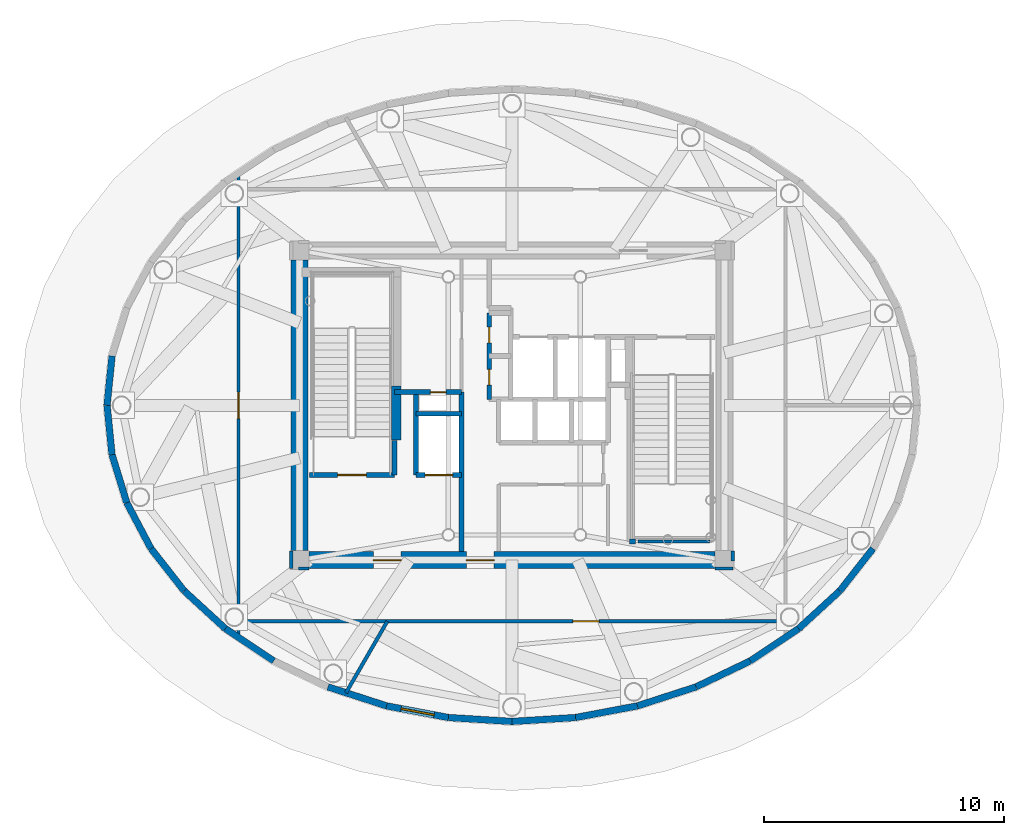
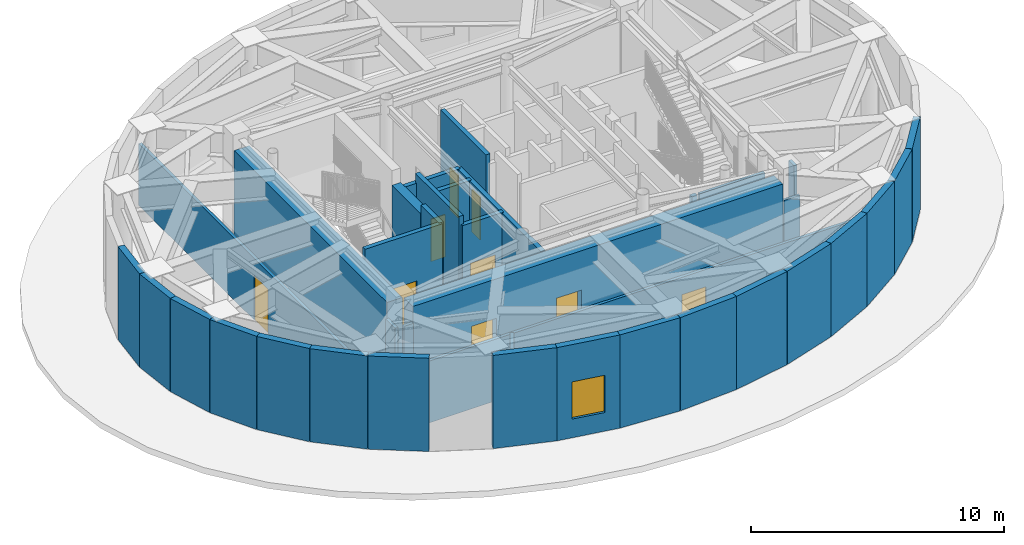
# One storey, part 3 of 11: 37 walls, 9 doors, 1 window, 10 openings.
"""IFC4 building model written with IfcOpenShell, lengths in metres."""

import ifcopenshell
import ifcopenshell.guid

model = None  # the IFC model being written
_history = None  # IfcOwnerHistory: only IFC2X3 demands one
_inside = {}  # id of a spatial element -> (the spatial element, [elements in it])
_under = {}  # id of a project, library or spatial element -> (it, [spatial elements below it])
_declared = {}  # id of a project -> (the project, [libraries it declares])
_typed = {}  # id of a type object -> (the type object, [elements of that type])
_made_of = {}  # id of a material, layer set ... -> (it, [elements and type objects made of it])


def new_model(schema):
    """Start an empty IFC model of exactly this schema.

    Asked for "IFC4X3", IfcOpenShell would pick the latest addendum, in which some entities
    have other attributes; the version numbers below select the first issue.
    IFC2X3 requires an IfcOwnerHistory on every rooted entity: one is made here for all.
    """
    global model, _history
    if schema == "IFC4X3":
        model = ifcopenshell.file(schema_version=(4, 3, 0, 0))
    else:
        model = ifcopenshell.file(schema=schema)
    _inside.clear()
    _under.clear()
    _declared.clear()
    _typed.clear()
    _made_of.clear()
    _history = None
    if model.schema == "IFC2X3":
        org = make("IfcOrganization", Name="unknown")
        user = make(
            "IfcPersonAndOrganization",
            ThePerson=make("IfcPerson", FamilyName="unknown"),
            TheOrganization=org,
        )
        app = make(
            "IfcApplication",
            ApplicationDeveloper=org,
            Version="unknown",
            ApplicationFullName="unknown",
            ApplicationIdentifier="unknown",
        )
        _history = make(
            "IfcOwnerHistory",
            OwningUser=user,
            OwningApplication=app,
            ChangeAction="ADDED",
            CreationDate=0,
        )
    return model


def make(cls, **values):
    """One entity of the class cls with the attributes given. An attribute that is None is left unset."""
    return model.create_entity(
        cls, **{name: value for name, value in values.items() if value is not None}
    )


def rooted(cls, **values):
    """An entity with a GlobalId (a new one), such as an element, a storey or a relation."""
    return make(cls, GlobalId=ifcopenshell.guid.new(), OwnerHistory=_history, **values)


def si_unit(unit_type, name, prefix=None):
    """IfcSIUnit, for example si_unit("LENGTHUNIT", "METRE", prefix="MILLI")."""
    return make("IfcSIUnit", UnitType=unit_type, Prefix=prefix, Name=name)


def assignment(units):
    """IfcUnitAssignment: the units of a project."""
    return None if units is None else make("IfcUnitAssignment", Units=units)


def point(xyz):
    """IfcCartesianPoint."""
    return None if xyz is None else make("IfcCartesianPoint", Coordinates=xyz)


def direction(xyz):
    """IfcDirection."""
    return None if xyz is None else make("IfcDirection", DirectionRatios=xyz)


def frame(location, z_axis=None, x_axis=None):
    """IfcAxis2Placement3D, a coordinate frame: its origin and axes. An axis left out is left unset."""
    return make(
        "IfcAxis2Placement3D",
        Location=point(location),
        Axis=direction(z_axis),
        RefDirection=direction(x_axis),
    )


def frame_2d(location, x_axis=None):
    """IfcAxis2Placement2D, a coordinate frame in the plane: its origin and x axis."""
    return make(
        "IfcAxis2Placement2D", Location=point(location), RefDirection=direction(x_axis)
    )


def origin():
    """The frame at (0, 0, 0) with its axes left unset."""
    return frame((0.0, 0.0, 0.0))


def origin_2d():
    """The frame at (0, 0) in the plane with its x axis left unset."""
    return frame_2d((0.0, 0.0))


def place(relative_to, where):
    """IfcLocalPlacement: puts the frame where relative to a parent placement (None: the world)."""
    return make(
        "IfcLocalPlacement", PlacementRelTo=relative_to, RelativePlacement=where
    )


def context(
    kind, dimensions, precision=None, world=None, true_north=None, identifier=None
):
    """IfcGeometricRepresentationContext, for example the 3D "Model" context."""
    return make(
        "IfcGeometricRepresentationContext",
        ContextIdentifier=identifier,
        ContextType=kind,
        CoordinateSpaceDimension=dimensions,
        Precision=precision,
        WorldCoordinateSystem=world,
        TrueNorth=true_north,
    )


def subcontext(parent, identifier, kind, view, scale=None):
    """IfcGeometricRepresentationSubContext, for example "Body" below "Model"."""
    return make(
        "IfcGeometricRepresentationSubContext",
        ContextIdentifier=identifier,
        ContextType=kind,
        ParentContext=parent,
        TargetScale=scale,
        TargetView=view,
    )


def project(units=None, contexts=None):
    """IfcProject with its units and contexts."""
    return rooted(
        "IfcProject",
        Name="project",
        RepresentationContexts=contexts,
        UnitsInContext=assignment(units),
    )


def spatial(cls, under=None, at=None, **own):
    """A site, building, storey or space (cls), placed at a placement, below another one or the project."""
    s = rooted(cls, ObjectPlacement=at, **own)
    if under is not None:
        _under.setdefault(under.id(), (under, []))[1].append(s)
    return s


def profile(cls, at=None, kind="AREA", **sizes):
    """A parametric profile (cls). Its sizes go by their IFC names, for example OverallWidth=200.0."""
    return make(cls, ProfileType=kind, Position=at, **sizes)


def rectangle(**sizes):
    """IfcRectangleProfileDef."""
    return profile("IfcRectangleProfileDef", **sizes)


def extrude(swept, where, along, depth):
    """IfcExtrudedAreaSolid: the profile swept, set in the frame where, extruded along a direction by depth."""
    return make(
        "IfcExtrudedAreaSolid",
        SweptArea=swept,
        Position=where,
        ExtrudedDirection=direction(along),
        Depth=depth,
    )


def shape(context_of_items, identifier, shape_type, items):
    """IfcShapeRepresentation: the items that make up one representation, for example the "Body"."""
    return make(
        "IfcShapeRepresentation",
        ContextOfItems=context_of_items,
        RepresentationIdentifier=identifier,
        RepresentationType=shape_type,
        Items=items,
    )


def source(mapping_origin, context_of_items, identifier, shape_type, items):
    """IfcRepresentationMap: a shape defined once, which mapped items show again and again."""
    return make(
        "IfcRepresentationMap",
        MappingOrigin=mapping_origin,
        MappedRepresentation=shape(context_of_items, identifier, shape_type, items),
    )


def transform(
    local_origin,
    x_axis=None,
    y_axis=None,
    z_axis=None,
    scale=None,
    scale2=None,
    scale3=None,
    uniform=True,
):
    """IfcCartesianTransformationOperator3D, or its non-uniform kind. x_axis, y_axis, z_axis: its Axis1, 2, 3."""
    if uniform:
        return make(
            "IfcCartesianTransformationOperator3D",
            Axis1=direction(x_axis),
            Axis2=direction(y_axis),
            LocalOrigin=point(local_origin),
            Scale=scale,
            Axis3=direction(z_axis),
        )
    return make(
        "IfcCartesianTransformationOperator3DnonUniform",
        Axis1=direction(x_axis),
        Axis2=direction(y_axis),
        LocalOrigin=point(local_origin),
        Scale=scale,
        Axis3=direction(z_axis),
        Scale2=scale2,
        Scale3=scale3,
    )


def mapped(mapping_source, mapping_target):
    """IfcMappedItem: shows the shape of a source again, moved by a transform."""
    return make(
        "IfcMappedItem", MappingSource=mapping_source, MappingTarget=mapping_target
    )


def material(Name=None, Category=None):
    """IfcMaterial."""
    return make("IfcMaterial", Name=Name, Category=Category)


def layer(
    of_material, thickness, ventilated=None, Name=None, Category=None, Priority=None
):
    """IfcMaterialLayer: one layer of a wall or slab, of a material (None: an air gap)."""
    return make(
        "IfcMaterialLayer",
        Material=of_material,
        LayerThickness=thickness,
        IsVentilated=ventilated,
        Name=Name,
        Category=Category,
        Priority=Priority,
    )


def layer_set(layers, Name=None):
    """IfcMaterialLayerSet."""
    return make("IfcMaterialLayerSet", MaterialLayers=layers, LayerSetName=Name)


def made_of(thing, what):
    """Note that an element or type object is made of a material, layer set ...; save() writes the relation."""
    if what is not None:
        _made_of.setdefault(what.id(), (what, []))[1].append(thing)
    return thing


def type_object(cls, material=None, **own):
    """A type object (cls), such as IfcWallType, which elements share."""
    return made_of(rooted(cls, **own), material)


def element(
    cls,
    number,
    at=None,
    inside=None,
    cuts=None,
    type_object=None,
    material=None,
    context=None,
    identifier="Body",
    shape_type=None,
    held_by="IfcProductDefinitionShape",
    body=None,
    shapes=None,
    **own,
):
    """One element of the class cls, such as IfcWall. Its Tag is "e" and its number.

    at: its placement. inside: the storey or other place that contains it. cuts: it is an
    opening in that element (IfcRelVoidsElement). A single representation is given by context,
    identifier, shape_type and body (its items); several are given by shapes. held_by: the class
    of the entity that holds the representations. save() writes the other relations.
    """
    e = rooted(cls, Tag="e%d" % number, ObjectPlacement=at, **own)
    if body is not None:
        shapes = [shape(context, identifier, shape_type, body)]
    if shapes is not None:
        e.Representation = make(held_by, Representations=shapes)
    if inside is not None:
        _inside.setdefault(inside.id(), (inside, []))[1].append(e)
    if cuts is not None:
        rooted(
            "IfcRelVoidsElement", RelatingBuildingElement=cuts, RelatedOpeningElement=e
        )
    if type_object is not None:
        _typed.setdefault(type_object.id(), (type_object, []))[1].append(e)
    return made_of(e, material)


def fill(opening, filler):
    """IfcRelFillsElement: the door or window that sits in an opening."""
    return rooted(
        "IfcRelFillsElement",
        RelatingOpeningElement=opening,
        RelatedBuildingElement=filler,
    )


def aggregate(whole, parts):
    """IfcRelAggregates: a whole, such as a stair, and the parts it consists of."""
    return rooted("IfcRelAggregates", RelatingObject=whole, RelatedObjects=parts)


def save(model, path):
    """Write the relations noted so far, then the file.

    IfcRelAggregates (storeys below a building ...), IfcRelContainedInSpatialStructure (elements
    in a storey), IfcRelDefinesByType, IfcRelAssociatesMaterial and IfcRelDeclares: one each for
    every whole, place, type object, material and project.
    """
    for whole, parts in _under.values():
        aggregate(whole, parts)
    for where, things in _inside.values():
        rooted(
            "IfcRelContainedInSpatialStructure",
            RelatedElements=things,
            RelatingStructure=where,
        )
    for kind, things in _typed.values():
        rooted("IfcRelDefinesByType", RelatedObjects=things, RelatingType=kind)
    for what, things in _made_of.values():
        rooted("IfcRelAssociatesMaterial", RelatedObjects=things, RelatingMaterial=what)
    for by, libraries in _declared.values():
        rooted("IfcRelDeclares", RelatingContext=by, RelatedDefinitions=libraries)
    model.write(path)


model = new_model("IFC4")

# Units and contexts
model_context = context("Model", 3, precision=1e-05, world=origin(), true_north=direction((0.0, 1.0)))
body_context = subcontext(model_context, "Body", "Model", "MODEL_VIEW")
ifc_project = project(units=[si_unit("LENGTHUNIT", "METRE"), si_unit("AREAUNIT", "SQUARE_METRE"), si_unit("VOLUMEUNIT", "CUBIC_METRE"), si_unit("PLANEANGLEUNIT", "RADIAN"), si_unit("MASSUNIT", "GRAM", prefix="KILO")], contexts=[model_context])

# Site, building, storey
site_placement = place(None, origin())
site = spatial("IfcSite", under=ifc_project, at=site_placement, CompositionType="ELEMENT")
building_placement = place(site_placement, origin())
building = spatial("IfcBuilding", under=site, at=building_placement, Name="Linh Dai School and Residence Tower", CompositionType="ELEMENT")
storey_placement = place(building_placement, frame((0.0, 0.0, 363.60009765625)))
storey = spatial("IfcBuildingStorey", under=building, at=storey_placement, Name="L90", CompositionType="ELEMENT", Elevation=363.60009765625)

# Walls
ifc_material_1 = material(Name="Concrete B45 (C35/45)", Category="concrete")
ifc_layer_1 = layer(ifc_material_1, 0.280029296875)
ifc_layer_set_1 = layer_set([ifc_layer_1], Name="Concrete B45 (C35/45)")
wall_type_1 = type_object("IfcWallType", Name="EW-DRM-280", PredefinedType="SOLIDWALL", material=ifc_layer_set_1)
for number, where, z_axis, x_axis, name in (
    (1, (19.125, 27.0, 0.0), (0.0, 0.0, 1.0), (0.100088694252, 0.994978519006, 0.0), "L90 Terracotta Exterior Wall 20"),
    (2, (19.331787109375, 24.9443359375, 0.0), (0.0, 0.0, 1.0), (-0.100088694252, 0.994978519006, 0.0), "L90 Terracotta Exterior Wall 21"),
):
    element("IfcWall", number, at=place(storey_placement, frame(where, z_axis=z_axis, x_axis=x_axis)), inside=storey, type_object=wall_type_1, Name=name, PredefinedType="SOLIDWALL", context=body_context, shape_type="SweptSolid", body=[
        extrude(rectangle(XDim=2.06591796875, YDim=0.280029296875, at=frame_2d((1.032958984375, 0.0))), origin(), (0.0, 0.0, 1.0), 4.5),
    ])
wall_1_placement = place(storey_placement, frame((19.947509765625, 22.93798828125, 0.0), z_axis=(0.0, 0.0, 1.0), x_axis=(-0.293382762388, 0.955995059994, 0.0)))
element("IfcWall", 3, at=wall_1_placement, inside=storey, type_object=wall_type_1, Name="L90 Terracotta Exterior Wall 22", PredefinedType="SOLIDWALL", context=body_context, shape_type="SweptSolid", body=[
    extrude(rectangle(XDim=2.0986328125, YDim=0.280029296875, at=frame_2d((1.04931640625, 0.0))), origin(), (0.0, 0.0, 1.0), 4.5),
])
wall_2_placement = place(storey_placement, frame((20.95751953125, 21.030029296875, 0.0), z_axis=(0.0, 0.0, 1.0), x_axis=(-0.467856543752, 0.883804420938, 0.0)))
element("IfcWall", 4, at=wall_2_placement, inside=storey, type_object=wall_type_1, Name="L90 Terracotta Exterior Wall 23", PredefinedType="SOLIDWALL", context=body_context, shape_type="SweptSolid", body=[
    extrude(rectangle(XDim=2.15869140625, YDim=0.280029296875, at=frame_2d((1.079345703125, 0.0))), origin(), (0.0, 0.0, 1.0), 4.5),
])
wall_3_placement = place(storey_placement, frame((22.33837890625, 19.267578125, 0.0), z_axis=(0.0, 0.0, 1.0), x_axis=(-0.61673743222, 0.787168939745, 0.0)))
element("IfcWall", 5, at=wall_3_placement, inside=storey, type_object=wall_type_1, Name="L90 Terracotta Exterior Wall 24", PredefinedType="SOLIDWALL", context=body_context, shape_type="SweptSolid", body=[
    extrude(rectangle(XDim=2.239013671875, YDim=0.280029296875, at=frame_2d((1.11962890625, 0.0))), origin(), (0.0, 0.0, 1.0), 4.5),
])
wall_4_placement = place(storey_placement, frame((24.05615234375, 17.69384765625, 0.0), z_axis=(0.0, 0.0, 1.0), x_axis=(-0.737345511847, 0.675515800081, 0.0)))
element("IfcWall", 6, at=wall_4_placement, inside=storey, type_object=wall_type_1, Name="L90 Terracotta Exterior Wall 25", PredefinedType="SOLIDWALL", context=body_context, shape_type="SweptSolid", body=[
    extrude(rectangle(XDim=2.32958984375, YDim=0.280029296875, at=frame_2d((1.164794921875, 0.0))), origin(), (0.0, 0.0, 1.0), 4.5),
])
wall_5_placement = place(storey_placement, frame((26.0693359375, 16.3486328125, 0.0), z_axis=(0.0, 0.0, 1.0), x_axis=(-0.831460345356, 0.555584101735, 0.0)))
element("IfcWall", 7, at=wall_5_placement, inside=storey, type_object=wall_type_1, Name="L90 Terracotta Exterior Wall 26", PredefinedType="SOLIDWALL", context=body_context, shape_type="SweptSolid", body=[
    extrude(rectangle(XDim=2.421142578125, YDim=0.280029296875, at=frame_2d((1.21044921875, 0.0))), origin(), (0.0, 0.0, 1.0), 4.5),
])
wall_6_placement = place(storey_placement, frame((30.777587890625, 14.47216796875, 0.0), z_axis=(0.0, 0.0, 1.0), x_axis=(-0.951323551321, 0.308193933592, 0.0)))
element("IfcWall", 8, at=wall_6_placement, inside=storey, type_object=wall_type_1, Name="L90 Terracotta Exterior Wall 28", PredefinedType="SOLIDWALL", context=body_context, shape_type="SweptSolid", body=[
    extrude(rectangle(XDim=2.574462890625, YDim=0.280029296875, at=frame_2d((1.287109375, 0.0))), origin(), (0.0, 0.0, 1.0), 4.5),
])

# Wall, opening, window
wall_7_placement = place(storey_placement, frame((33.35595703125, 13.98779296875, 0.0), z_axis=(0.0, 0.0, 1.0), x_axis=(-0.982807863021, 0.184631266001, 0.0)))
wall_7 = element("IfcWall", 9, at=wall_7_placement, inside=storey, type_object=wall_type_1, Name="L90 Terracotta Exterior Wall 29", PredefinedType="SOLIDWALL", context=body_context, shape_type="SweptSolid", body=[
    extrude(rectangle(XDim=2.62353515625, YDim=0.280029296875, at=frame_2d((1.311767578125, 0.0))), origin(), (0.0, 0.0, 1.0), 4.5),
])
opening_1_placement = place(wall_7_placement, frame((0.61181640625, 0.0, 0.89990234375)))
opening_1 = element("IfcOpeningElement", 10, at=opening_1_placement, cuts=wall_7, Name="Opening W5", PredefinedType="OPENING", context=body_context, shape_type="SweptSolid", body=[
    extrude(rectangle(XDim=1.39990234375, YDim=1.800048828125, at=origin_2d()), frame((0.699951171875, 0.14990234375, 0.89990234375), z_axis=(0.0, -1.0, 0.0), x_axis=(1.0, 0.0, 0.0)), (0.0, 0.0, 1.0), 0.300048828125),
])
ifc_material_2 = material(Name="Anodised Aluminium Weather Louvre", Category="aluminium")
window_type = type_object("IfcWindowType", Name="WN-LV-2000x1800", PartitioningType="SINGLE_PANEL", PredefinedType="USERDEFINED", material=ifc_material_2)
shared_shape_1 = source(origin(), body_context, "Body", "SweptSolid", [
    extrude(rectangle(XDim=1.39990234375, YDim=1.800048828125, at=origin_2d()), frame((0.699951171875, 0.030029296875, 0.89990234375), z_axis=(0.0, -1.0, 0.0), x_axis=(1.0, 0.0, 0.0)), (0.0, 0.0, 1.0), 0.06005859375),
])
window_placement = place(opening_1_placement, origin())
window = element("IfcWindow", 11, at=window_placement, inside=storey, type_object=window_type, Name="L90 Plant Weather Louvre 29", ObjectType="LOUVRE VENT", OverallHeight=1.800048828125, OverallWidth=1.39990234375, PartitioningType="SINGLE_PANEL", PredefinedType="USERDEFINED", context=body_context, shape_type="MappedRepresentation", body=[
    mapped(shared_shape_1, transform((0.0, 0.0, 0.0), x_axis=(1.0, 0.0, 0.0), y_axis=(0.0, 1.0, 0.0), z_axis=(0.0, 0.0, 1.0), scale=1.0)),
])
fill(opening_1, window)

# Walls
for number, where, z_axis, x_axis, name in (
    (12, (36.0, 13.824951171875, 0.0), (0.0, 0.0, 1.0), (-0.998108826348, 0.061471707034, 0.0), "L90 Terracotta Exterior Wall 30"),
    (13, (38.64404296875, 13.98779296875, 0.0), (0.0, 0.0, 1.0), (-0.998108826348, -0.061471707034, 0.0), "L90 Terracotta Exterior Wall 31"),
):
    element("IfcWall", number, at=place(storey_placement, frame(where, z_axis=z_axis, x_axis=x_axis)), inside=storey, type_object=wall_type_1, Name=name, PredefinedType="SOLIDWALL", context=body_context, shape_type="SweptSolid", body=[
        extrude(rectangle(XDim=2.649169921875, YDim=0.280029296875, at=frame_2d((1.32470703125, 0.0))), origin(), (0.0, 0.0, 1.0), 4.5),
    ])
wall_8_placement = place(storey_placement, frame((41.222412109375, 14.47216796875, 0.0), z_axis=(0.0, 0.0, 1.0), x_axis=(-0.982807863021, -0.184631266001, 0.0)))
element("IfcWall", 14, at=wall_8_placement, inside=storey, type_object=wall_type_1, Name="L90 Terracotta Exterior Wall 32", PredefinedType="SOLIDWALL", context=body_context, shape_type="SweptSolid", body=[
    extrude(rectangle(XDim=2.62353515625, YDim=0.280029296875, at=frame_2d((1.311767578125, 0.0))), origin(), (0.0, 0.0, 1.0), 4.5),
])
wall_9_placement = place(storey_placement, frame((43.671630859375, 15.265625, 0.0), z_axis=(0.0, 0.0, 1.0), x_axis=(-0.951323551321, -0.308193933592, 0.0)))
element("IfcWall", 15, at=wall_9_placement, inside=storey, type_object=wall_type_1, Name="L90 Terracotta Exterior Wall 33", PredefinedType="SOLIDWALL", context=body_context, shape_type="SweptSolid", body=[
    extrude(rectangle(XDim=2.574462890625, YDim=0.280029296875, at=frame_2d((1.287109375, 0.0))), origin(), (0.0, 0.0, 1.0), 4.5),
])
wall_10_placement = place(storey_placement, frame((45.9306640625, 16.3486328125, 0.0), z_axis=(0.0, 0.0, 1.0), x_axis=(-0.901729772184, -0.432300147996, 0.0)))
element("IfcWall", 16, at=wall_10_placement, inside=storey, type_object=wall_type_1, Name="L90 Terracotta Exterior Wall 34", PredefinedType="SOLIDWALL", context=body_context, shape_type="SweptSolid", body=[
    extrude(rectangle(XDim=2.505126953125, YDim=0.280029296875, at=frame_2d((1.25244140625, 0.0))), origin(), (0.0, 0.0, 1.0), 4.5),
])
wall_11_placement = place(storey_placement, frame((47.94384765625, 17.69384765625, 0.0), z_axis=(0.0, 0.0, 1.0), x_axis=(-0.831460345356, -0.555584101735, 0.0)))
element("IfcWall", 17, at=wall_11_placement, inside=storey, type_object=wall_type_1, Name="L90 Terracotta Exterior Wall 35", PredefinedType="SOLIDWALL", context=body_context, shape_type="SweptSolid", body=[
    extrude(rectangle(XDim=2.421142578125, YDim=0.280029296875, at=frame_2d((1.21044921875, 0.0))), origin(), (0.0, 0.0, 1.0), 4.5),
])
wall_12_placement = place(storey_placement, frame((49.66162109375, 19.267578125, 0.0), z_axis=(0.0, 0.0, 1.0), x_axis=(-0.737345511847, -0.675515800081, 0.0)))
element("IfcWall", 18, at=wall_12_placement, inside=storey, type_object=wall_type_1, Name="L90 Terracotta Exterior Wall 36", PredefinedType="SOLIDWALL", context=body_context, shape_type="SweptSolid", body=[
    extrude(rectangle(XDim=2.32958984375, YDim=0.280029296875, at=frame_2d((1.164794921875, 0.0))), origin(), (0.0, 0.0, 1.0), 4.5),
])
wall_13_placement = place(storey_placement, frame((51.04248046875, 21.030029296875, 0.0), z_axis=(0.0, 0.0, 1.0), x_axis=(-0.61673743222, -0.787168939745, 0.0)))
element("IfcWall", 19, at=wall_13_placement, inside=storey, type_object=wall_type_1, Name="L90 Terracotta Exterior Wall 37", PredefinedType="SOLIDWALL", context=body_context, shape_type="SweptSolid", body=[
    extrude(rectangle(XDim=2.239013671875, YDim=0.280029296875, at=frame_2d((1.11962890625, 0.0))), origin(), (0.0, 0.0, 1.0), 4.5),
])

# Wall, opening, door
ifc_material_3 = material(Name="Autoclaved Aerated Concrete Blockwork", Category="masonry")
ifc_layer_2 = layer(ifc_material_3, 0.135009765625)
ifc_layer_set_2 = layer_set([ifc_layer_2], Name="Autoclaved Aerated Concrete Blockwork")
wall_type_2 = type_object("IfcWallType", Name="IW-CORR-135-EI90", PredefinedType="PARTITIONING", material=ifc_layer_set_2)
wall_14_placement = place(storey_placement, frame((24.60009765625, 17.324462890625, 0.0), z_axis=(0.0, 0.0, 1.0), x_axis=(0.0, 1.0, 0.0)))
wall_14 = element("IfcWall", 20, at=wall_14_placement, inside=storey, type_object=wall_type_2, Name="L90 Interior Partition Wall 001", PredefinedType="PARTITIONING", context=body_context, shape_type="SweptSolid", body=[
    extrude(rectangle(XDim=19.35107421875, YDim=0.135009765625, at=frame_2d((9.675537109375, 0.0))), origin(), (0.0, 0.0, 1.0), 2.98486328125),
])
opening_2_placement = place(wall_14_placement, frame((9.12548828125, 0.0, 0.0)))
opening_2 = element("IfcOpeningElement", 21, at=opening_2_placement, cuts=wall_14, Name="Opening D07", PredefinedType="OPENING", context=body_context, shape_type="SweptSolid", body=[
    extrude(rectangle(XDim=1.10009765625, YDim=2.14990234375, at=origin_2d()), frame((0.550048828125, 0.07763671875, 1.074951171875), z_axis=(0.0, -1.0, 0.0), x_axis=(1.0, 0.0, 0.0)), (0.0, 0.0, 1.0), 0.155029296875),
])
ifc_material_4 = material(Name="Fire-Rated Louvred Steel Plant Door", Category="steel")
door_type_1 = type_object("IfcDoorType", Name="DR-PLT-1100x2150-FD60S", OperationType="NOTDEFINED", PredefinedType="DOOR", material=ifc_material_4)
shared_shape_2 = source(origin(), body_context, "Body", "SweptSolid", [
    extrude(rectangle(XDim=1.10009765625, YDim=2.14990234375, at=origin_2d()), frame((0.550048828125, 0.02490234375, 1.074951171875), z_axis=(0.0, -1.0, 0.0), x_axis=(1.0, 0.0, 0.0)), (0.0, 0.0, 1.0), 0.050048828125),
])
door_1_placement = place(opening_2_placement, origin())
door_1 = element("IfcDoor", 22, at=door_1_placement, inside=storey, type_object=door_type_1, Name="L90 High-Zone Cooling Tower & Heat-Rejection Hall Door", OperationType="SINGLE_SWING_RIGHT", OverallHeight=2.14990234375, OverallWidth=1.10009765625, PredefinedType="DOOR", context=body_context, shape_type="MappedRepresentation", body=[
    mapped(shared_shape_2, transform((0.0, 0.0, 0.0), x_axis=(1.0, 0.0, 0.0), y_axis=(0.0, 1.0, 0.0), z_axis=(0.0, 0.0, 1.0), scale=1.0)),
])
fill(opening_2, door_1)

wall_15_placement = place(storey_placement, frame((24.60009765625, 18.0, 0.0), z_axis=(0.0, 0.0, 1.0), x_axis=(1.0, 0.0, 0.0)))
wall_15 = element("IfcWall", 23, at=wall_15_placement, inside=storey, type_object=wall_type_2, Name="L90 Interior Partition Wall 002", PredefinedType="PARTITIONING", context=body_context, shape_type="SweptSolid", body=[
    extrude(rectangle(XDim=22.7998046875, YDim=0.135009765625, at=frame_2d((11.39990234375, 0.0))), origin(), (0.0, 0.0, 1.0), 2.98486328125),
])
opening_3_placement = place(wall_15_placement, frame((13.931884765625, 0.0, 0.0)))
opening_3 = element("IfcOpeningElement", 24, at=opening_3_placement, cuts=wall_15, Name="Opening D07", PredefinedType="OPENING", context=body_context, shape_type="SweptSolid", body=[
    extrude(rectangle(XDim=1.10009765625, YDim=2.14990234375, at=origin_2d()), frame((0.550048828125, 0.07763671875, 1.074951171875), z_axis=(0.0, -1.0, 0.0), x_axis=(1.0, 0.0, 0.0)), (0.0, 0.0, 1.0), 0.155029296875),
])
door_2_placement = place(opening_3_placement, origin())
door_2 = element("IfcDoor", 25, at=door_2_placement, inside=storey, type_object=door_type_1, Name="L90 High-Zone Passenger Lift Machine Room Door", OperationType="SINGLE_SWING_LEFT", OverallHeight=2.14990234375, OverallWidth=1.10009765625, PredefinedType="DOOR", context=body_context, shape_type="MappedRepresentation", body=[
    mapped(shared_shape_2, transform((0.0, 0.0, 0.0), x_axis=(1.0, 0.0, 0.0), y_axis=(0.0, 1.0, 0.0), z_axis=(0.0, 0.0, 1.0), scale=1.0)),
])
fill(opening_3, door_2)

# Walls
wall_16_placement = place(storey_placement, frame((44.239990234375, 21.330078125, 0.0), z_axis=(0.0, 0.0, 1.0), x_axis=(-1.0, 0.0, 0.0)))
element("IfcWall", 26, at=wall_16_placement, inside=storey, type_object=wall_type_2, Name="L90 Interior Partition Wall 036", PredefinedType="PARTITIONING", context=body_context, shape_type="SweptSolid", body=[
    extrude(rectangle(XDim=2.97998046875, YDim=0.135009765625, at=frame_2d((1.489990234375, 0.0))), origin(), (0.0, 0.0, 1.0), 4.034912109375),
])
wall_17_placement = place(storey_placement, frame((26.800048828125, 20.93994140625, 0.0), z_axis=(0.0, 0.0, 1.0), x_axis=(0.0, -1.0, 0.0)))
element("IfcWall", 27, at=wall_17_placement, inside=storey, type_object=wall_type_2, Name="L90 Interior Partition Wall 039", PredefinedType="PARTITIONING", context=body_context, shape_type="SweptSolid", body=[
    extrude(rectangle(XDim=0.739990234375, YDim=0.135009765625, at=frame_2d((0.3701171875, 0.0))), origin(), (0.0, 0.0, 1.0), 3.284912109375),
])
wall_18_placement = place(storey_placement, frame((27.107421875, 20.199951171875, 0.0), z_axis=(0.0, 0.0, 1.0), x_axis=(1.0, 0.0, 0.0)))
element("IfcWall", 28, at=wall_18_placement, inside=storey, type_object=wall_type_2, Name="L90 Interior Partition Wall 040", PredefinedType="PARTITIONING", context=body_context, shape_type="SweptSolid", body=[
    extrude(rectangle(XDim=0.4326171875, YDim=0.135009765625, at=frame_2d((0.21630859375, 0.0))), origin(), (0.0, 0.0, 1.0), 3.284912109375),
])
wall_19_placement = place(storey_placement, frame((44.4599609375, 20.199951171875, 0.0), z_axis=(0.0, 0.0, 1.0), x_axis=(1.0, 0.0, 0.0)))
element("IfcWall", 29, at=wall_19_placement, inside=storey, type_object=wall_type_2, Name="L90 Interior Partition Wall 041", PredefinedType="PARTITIONING", context=body_context, shape_type="SweptSolid", body=[
    extrude(rectangle(XDim=0.739990234375, YDim=0.135009765625, at=frame_2d((0.3701171875, 0.0))), origin(), (0.0, 0.0, 1.0), 3.284912109375),
])
wall_20_placement = place(storey_placement, frame((45.199951171875, 20.507568359375, 0.0), z_axis=(0.0, 0.0, 1.0), x_axis=(0.0, 1.0, 0.0)))
element("IfcWall", 30, at=wall_20_placement, inside=storey, type_object=wall_type_2, Name="L90 Interior Partition Wall 042", PredefinedType="PARTITIONING", context=body_context, shape_type="SweptSolid", body=[
    extrude(rectangle(XDim=0.432373046875, YDim=0.135009765625, at=frame_2d((0.21630859375, 0.0))), origin(), (0.0, 0.0, 1.0), 4.5),
])
ifc_layer_3 = layer(ifc_material_3, 0.14990234375)
ifc_layer_set_3 = layer_set([ifc_layer_3], Name="Autoclaved Aerated Concrete Blockwork")
wall_type_3 = type_object("IfcWallType", Name="IW-SCH-150-EI60", PredefinedType="PARTITIONING", material=ifc_layer_set_3)
wall_21_placement = place(storey_placement, frame((29.081298828125, 15.0166015625, 0.0), z_axis=(0.0, 0.0, 1.0), x_axis=(0.500041441558, 0.866001476168, 0.0)))
element("IfcWall", 31, at=wall_21_placement, inside=storey, type_object=wall_type_3, Name="L90 Interior Partition Wall 005", PredefinedType="PARTITIONING", context=body_context, shape_type="SweptSolid", body=[
    extrude(rectangle(XDim=3.445068359375, YDim=0.14990234375, at=frame_2d((1.72265625, 0.0))), origin(), (0.0, 0.0, 1.0), 2.98486328125),
])

# Wall, opening, door
ifc_layer_4 = layer(ifc_material_1, 0.199951171875)
ifc_layer_set_4 = layer_set([ifc_layer_4], Name="Concrete B45 (C35/45)")
wall_type_4 = type_object("IfcWallType", Name="IW-SHAFT-200-EI120", PredefinedType="PARTITIONING", material=ifc_layer_set_4)
wall_22_placement = place(storey_placement, frame((27.56005859375, 24.10009765625, 0.0), z_axis=(0.0, 0.0, 1.0), x_axis=(1.0, 0.0, 0.0)))
wall_22 = element("IfcWall", 32, at=wall_22_placement, inside=storey, type_object=wall_type_4, Name="L90 Interior Partition Wall 004", PredefinedType="PARTITIONING", context=body_context, shape_type="SweptSolid", body=[
    extrude(rectangle(XDim=3.5400390625, YDim=0.199951171875, at=frame_2d((1.77001953125, 0.0))), origin(), (0.0, 0.0, 1.0), 4.5),
])
opening_4_placement = place(wall_22_placement, frame((1.169921875, 0.0, 0.0)))
opening_4 = element("IfcOpeningElement", 33, at=opening_4_placement, cuts=wall_22, Name="Opening D01", PredefinedType="OPENING", context=body_context, shape_type="SweptSolid", body=[
    extrude(rectangle(XDim=1.199951171875, YDim=2.14990234375, at=origin_2d()), frame((0.60009765625, 0.10986328125, 1.074951171875), z_axis=(0.0, -1.0, 0.0), x_axis=(1.0, 0.0, 0.0)), (0.0, 0.0, 1.0), 0.219970703125),
])
ifc_material_5 = material(Name="Fire-Rated Steel Door Leaf", Category="steel")
door_type_2 = type_object("IfcDoorType", Name="DR-STAIR-1200x2150-FD90S", OperationType="NOTDEFINED", PredefinedType="DOOR", material=ifc_material_5)
shared_shape_3 = source(origin(), body_context, "Body", "SweptSolid", [
    extrude(rectangle(XDim=1.199951171875, YDim=2.14990234375, at=origin_2d()), frame((0.60009765625, 0.02490234375, 1.074951171875), z_axis=(0.0, -1.0, 0.0), x_axis=(1.0, 0.0, 0.0)), (0.0, 0.0, 1.0), 0.050048828125),
])
door_3_placement = place(opening_4_placement, origin())
door_3 = element("IfcDoor", 34, at=door_3_placement, inside=storey, type_object=door_type_2, Name="L90 Core Smokeproof Exit Stair ST1 Door", OperationType="SINGLE_SWING_RIGHT", OverallHeight=2.14990234375, OverallWidth=1.199951171875, PredefinedType="DOOR", context=body_context, shape_type="MappedRepresentation", body=[
    mapped(shared_shape_3, transform((0.0, 0.0, 0.0), x_axis=(1.0, 0.0, 0.0), y_axis=(0.0, 1.0, 0.0), z_axis=(0.0, 0.0, 1.0), scale=1.0)),
])
fill(opening_4, door_3)

# Wall
wall_23_placement = place(storey_placement, frame((31.10009765625, 24.10009765625, 0.0), z_axis=(0.0, 0.0, 1.0), x_axis=(0.0, 1.0, 0.0)))
element("IfcWall", 35, at=wall_23_placement, inside=storey, type_object=wall_type_4, Name="L90 Interior Partition Wall 007", PredefinedType="PARTITIONING", context=body_context, shape_type="SweptSolid", body=[
    extrude(rectangle(XDim=1.43994140625, YDim=0.199951171875, at=frame_2d((0.719970703125, 0.0))), origin(), (0.0, 0.0, 1.0), 4.5),
])

# Wall, opening, door
wall_24_placement = place(storey_placement, frame((31.10009765625, 27.550048828125, 0.0), z_axis=(0.0, 0.0, 1.0), x_axis=(1.0, 0.0, 0.0)))
wall_24 = element("IfcWall", 36, at=wall_24_placement, inside=storey, type_object=wall_type_4, Name="L90 Interior Partition Wall 008", PredefinedType="PARTITIONING", context=body_context, shape_type="SweptSolid", body=[
    extrude(rectangle(XDim=2.7998046875, YDim=0.199951171875, at=frame_2d((1.39990234375, 0.0))), origin(), (0.0, 0.0, 1.0), 4.0849609375),
])
opening_5_placement = place(wall_24_placement, frame((1.5, 0.0, 0.0)))
opening_5 = element("IfcOpeningElement", 37, at=opening_5_placement, cuts=wall_24, Name="Opening AD1", PredefinedType="OPENING", context=body_context, shape_type="SweptSolid", body=[
    extrude(rectangle(XDim=0.659912109375, YDim=2.050048828125, at=origin_2d()), frame((0.330078125, 0.10986328125, 1.02490234375), z_axis=(0.0, -1.0, 0.0), x_axis=(1.0, 0.0, 0.0)), (0.0, 0.0, 1.0), 0.219970703125),
])
ifc_material_6 = material(Name="Fire-Rated Steel Riser Access Door", Category="steel")
door_type_3 = type_object("IfcDoorType", Name="DR-ACC-660x2050-FD90S", OperationType="NOTDEFINED", PredefinedType="USERDEFINED", material=ifc_material_6)
shared_shape_4 = source(origin(), body_context, "Body", "SweptSolid", [
    extrude(rectangle(XDim=0.659912109375, YDim=2.050048828125, at=origin_2d()), frame((0.330078125, 0.02490234375, 1.02490234375), z_axis=(0.0, -1.0, 0.0), x_axis=(1.0, 0.0, 0.0)), (0.0, 0.0, 1.0), 0.050048828125),
])
door_4_placement = place(opening_5_placement, origin())
door_4 = element("IfcDoor", 38, at=door_4_placement, inside=storey, type_object=door_type_3, Name="L90 Main Electrical Riser Access Door", ObjectType="ACCESS DOOR", OperationType="SINGLE_SWING_RIGHT", OverallHeight=2.050048828125, OverallWidth=0.659912109375, PredefinedType="USERDEFINED", context=body_context, shape_type="MappedRepresentation", body=[
    mapped(shared_shape_4, transform((0.0, 0.0, 0.0), x_axis=(1.0, 0.0, 0.0), y_axis=(0.0, 1.0, 0.0), z_axis=(0.0, 0.0, 1.0), scale=1.0)),
])
fill(opening_5, door_4)

# Wall
wall_25_placement = place(storey_placement, frame((32.0, 24.10009765625, 0.0), z_axis=(0.0, 0.0, 1.0), x_axis=(0.0, 1.0, 0.0)))
element("IfcWall", 39, at=wall_25_placement, inside=storey, type_object=wall_type_4, Name="L90 Interior Partition Wall 009", PredefinedType="PARTITIONING", context=body_context, shape_type="SweptSolid", body=[
    extrude(rectangle(XDim=3.449951171875, YDim=0.199951171875, at=frame_2d((1.72509765625, 0.0))), origin(), (0.0, 0.0, 1.0), 4.5),
])

# Wall, opening, door
wall_26_placement = place(storey_placement, frame((32.0, 24.10009765625, 0.0), z_axis=(0.0, 0.0, 1.0), x_axis=(1.0, 0.0, 0.0)))
wall_26 = element("IfcWall", 40, at=wall_26_placement, inside=storey, type_object=wall_type_4, Name="L90 Interior Partition Wall 010", PredefinedType="PARTITIONING", context=body_context, shape_type="SweptSolid", body=[
    extrude(rectangle(XDim=1.89990234375, YDim=0.199951171875, at=frame_2d((0.949951171875, 0.0))), origin(), (0.0, 0.0, 1.0), 4.0849609375),
])
opening_6_placement = place(wall_26_placement, frame((0.375, 0.0, 0.0)))
opening_6 = element("IfcOpeningElement", 41, at=opening_6_placement, cuts=wall_26, Name="Opening LD-FF2", PredefinedType="OPENING", context=body_context, shape_type="SweptSolid", body=[
    extrude(rectangle(XDim=1.14990234375, YDim=2.14990234375, at=origin_2d()), frame((0.574951171875, 0.10986328125, 1.074951171875), z_axis=(0.0, -1.0, 0.0), x_axis=(1.0, 0.0, 0.0)), (0.0, 0.0, 1.0), 0.219970703125),
])
ifc_material_7 = material(Name="Fire-Rated Stainless Steel Firefighting Lift Door", Category="steel")
door_type_4 = type_object("IfcDoorType", Name="DR-LD-FF-1150x2150-FD120", OperationType="DOUBLE_DOOR_SLIDING", PredefinedType="USERDEFINED", material=ifc_material_7)
shared_shape_5 = source(origin(), body_context, "Body", "SweptSolid", [
    extrude(rectangle(XDim=1.14990234375, YDim=2.14990234375, at=origin_2d()), frame((0.574951171875, 0.02490234375, 1.074951171875), z_axis=(0.0, -1.0, 0.0), x_axis=(1.0, 0.0, 0.0)), (0.0, 0.0, 1.0), 0.050048828125),
])
door_5_placement = place(opening_6_placement, origin())
door_5 = element("IfcDoor", 42, at=door_5_placement, inside=storey, type_object=door_type_4, Name="L90 Lift FF2 Sliding Landing Door", ObjectType="LANDING DOOR", OperationType="DOUBLE_DOOR_SLIDING", OverallHeight=2.14990234375, OverallWidth=1.14990234375, PredefinedType="USERDEFINED", context=body_context, shape_type="MappedRepresentation", body=[
    mapped(shared_shape_5, transform((0.0, 0.0, 0.0), x_axis=(1.0, 0.0, 0.0), y_axis=(0.0, 1.0, 0.0), z_axis=(0.0, 0.0, 1.0), scale=1.0)),
])
fill(opening_6, door_5)

# Walls
wall_27_placement = place(storey_placement, frame((32.0, 26.64990234375, 0.0), z_axis=(0.0, 0.0, 1.0), x_axis=(1.0, 0.0, 0.0)))
element("IfcWall", 43, at=wall_27_placement, inside=storey, type_object=wall_type_4, Name="L90 Interior Partition Wall 011", PredefinedType="PARTITIONING", context=body_context, shape_type="SweptSolid", body=[
    extrude(rectangle(XDim=1.89990234375, YDim=0.199951171875, at=frame_2d((0.949951171875, 0.0))), origin(), (0.0, 0.0, 1.0), 4.0849609375),
])
wall_28_placement = place(storey_placement, frame((33.89990234375, 20.89990234375, 0.0), z_axis=(0.0, 0.0, 1.0), x_axis=(0.0, 1.0, 0.0)))
element("IfcWall", 44, at=wall_28_placement, inside=storey, type_object=wall_type_4, Name="L90 Interior Partition Wall 012", PredefinedType="PARTITIONING", context=body_context, shape_type="SweptSolid", body=[
    extrude(rectangle(XDim=6.650146484375, YDim=0.199951171875, at=frame_2d((3.3251953125, 0.0))), origin(), (0.0, 0.0, 1.0), 4.0849609375),
])

# Wall, openings, doors
wall_29_placement = place(storey_placement, frame((35.050048828125, 27.25, 0.0), z_axis=(0.0, 0.0, 1.0), x_axis=(0.0, 1.0, 0.0)))
wall_29 = element("IfcWall", 45, at=wall_29_placement, inside=storey, type_object=wall_type_4, Name="L90 Interior Partition Wall 014", PredefinedType="PARTITIONING", context=body_context, shape_type="SweptSolid", body=[
    extrude(rectangle(XDim=3.60009765625, YDim=0.199951171875, at=frame_2d((1.800048828125, 0.0))), origin(), (0.0, 0.0, 1.0), 4.5),
])
opening_7_placement = place(wall_29_placement, frame((0.590087890625, 0.0, 0.0)))
opening_7 = element("IfcOpeningElement", 46, at=opening_7_placement, cuts=wall_29, Name="Opening AD1", PredefinedType="OPENING", context=body_context, shape_type="SweptSolid", body=[
    extrude(rectangle(XDim=0.659912109375, YDim=2.050048828125, at=origin_2d()), frame((0.330078125, 0.10986328125, 1.02490234375), z_axis=(0.0, -1.0, 0.0), x_axis=(1.0, 0.0, 0.0)), (0.0, 0.0, 1.0), 0.219970703125),
])
opening_8_placement = place(wall_29_placement, frame((2.35009765625, 0.0, 0.0)))
opening_8 = element("IfcOpeningElement", 47, at=opening_8_placement, cuts=wall_29, Name="Opening AD1", PredefinedType="OPENING", context=body_context, shape_type="SweptSolid", body=[
    extrude(rectangle(XDim=0.659912109375, YDim=2.050048828125, at=origin_2d()), frame((0.330078125, 0.10986328125, 1.02490234375), z_axis=(0.0, -1.0, 0.0), x_axis=(1.0, 0.0, 0.0)), (0.0, 0.0, 1.0), 0.219970703125),
])
door_6_placement = place(opening_7_placement, origin())
door_6 = element("IfcDoor", 48, at=door_6_placement, inside=storey, type_object=door_type_3, Name="L90 Telecom and Data Riser Access Door", ObjectType="ACCESS DOOR", OperationType="SINGLE_SWING_RIGHT", OverallHeight=2.050048828125, OverallWidth=0.659912109375, PredefinedType="USERDEFINED", context=body_context, shape_type="MappedRepresentation", body=[
    mapped(shared_shape_4, transform((0.0, 0.0, 0.0), x_axis=(1.0, 0.0, 0.0), y_axis=(0.0, 1.0, 0.0), z_axis=(0.0, 0.0, 1.0), scale=1.0)),
])
fill(opening_7, door_6)
door_7_placement = place(opening_8_placement, origin())
door_7 = element("IfcDoor", 49, at=door_7_placement, inside=storey, type_object=door_type_3, Name="L90 Mechanical and Plumbing Riser Access Door", ObjectType="ACCESS DOOR", OperationType="SINGLE_SWING_LEFT", OverallHeight=2.050048828125, OverallWidth=0.659912109375, PredefinedType="USERDEFINED", context=body_context, shape_type="MappedRepresentation", body=[
    mapped(shared_shape_4, transform((0.0, 0.0, 0.0), x_axis=(1.0, 0.0, 0.0), y_axis=(0.0, 1.0, 0.0), z_axis=(0.0, 0.0, 1.0), scale=1.0)),
])
fill(opening_8, door_7)

# Walls
wall_30_placement = place(storey_placement, frame((40.89990234375, 21.330078125, 0.0), z_axis=(0.0, 0.0, 1.0), x_axis=(1.0, 0.0, 0.0)))
element("IfcWall", 50, at=wall_30_placement, inside=storey, type_object=wall_type_4, Name="L90 Interior Partition Wall 033", PredefinedType="PARTITIONING", context=body_context, shape_type="SweptSolid", body=[
    extrude(rectangle(XDim=0.25, YDim=0.199951171875, at=frame_2d((0.125, 0.0))), origin(), (0.0, 0.0, 1.0), 4.034912109375),
])
ifc_layer_5 = layer(ifc_material_1, 0.39990234375)
ifc_layer_set_5 = layer_set([ifc_layer_5], Name="Concrete B45 (C35/45)")
wall_type_5 = type_object("IfcWallType", Name="WL-CORE400", PredefinedType="SHEAR", material=ifc_layer_set_5)
wall_31_placement = place(storey_placement, frame((31.179931640625, 25.550048828125, 0.0), z_axis=(0.0, 0.0, 1.0), x_axis=(0.0, 1.0, 0.0)))
element("IfcWall", 51, at=wall_31_placement, inside=storey, type_object=wall_type_5, Name="L90 Internal Core Shear Wall IW", PredefinedType="SHEAR", context=body_context, shape_type="SweptSolid", body=[
    extrude(rectangle(XDim=2.25, YDim=0.39990234375, at=frame_2d((1.125, 0.0))), origin(), (0.0, 0.0, 1.0), 4.099853515625),
])

# Wall, openings, doors
ifc_layer_6 = layer(ifc_material_1, 0.699951171875)
ifc_layer_set_6 = layer_set([ifc_layer_6], Name="Concrete B45 (C35/45)")
wall_type_6 = type_object("IfcWallType", Name="WL-CORE700", PredefinedType="SHEAR", material=ifc_layer_set_6)
wall_32_placement = place(storey_placement, frame((44.449951171875, 20.550048828125, 0.0), z_axis=(0.0, 0.0, 1.0), x_axis=(-1.0, 0.0, 0.0)))
wall_32 = element("IfcWall", 52, at=wall_32_placement, inside=storey, type_object=wall_type_6, Name="L90 Central Core Shear Wall S", PredefinedType="SHEAR", context=body_context, shape_type="SweptSolid", body=[
    extrude(rectangle(XDim=16.89990234375, YDim=0.699951171875, at=frame_2d((8.449951171875, 0.0))), origin(), (0.0, 0.0, 1.0), 4.0498046875),
])
opening_9_placement = place(wall_32_placement, frame((13.074951171875, 0.0, 0.0)))
opening_9 = element("IfcOpeningElement", 53, at=opening_9_placement, cuts=wall_32, Name="Opening D02", PredefinedType="OPENING", context=body_context, shape_type="SweptSolid", body=[
    extrude(rectangle(XDim=1.14990234375, YDim=2.14990234375, at=origin_2d()), frame((0.574951171875, 0.35986328125, 1.074951171875), z_axis=(0.0, -1.0, 0.0), x_axis=(1.0, 0.0, 0.0)), (0.0, 0.0, 1.0), 0.719970703125),
])
opening_10_placement = place(wall_32_placement, frame((9.199951171875, 0.0, 0.0)))
opening_10 = element("IfcOpeningElement", 54, at=opening_10_placement, cuts=wall_32, Name="Opening D02", PredefinedType="OPENING", context=body_context, shape_type="SweptSolid", body=[
    extrude(rectangle(XDim=1.14990234375, YDim=2.14990234375, at=origin_2d()), frame((0.574951171875, 0.35986328125, 1.074951171875), z_axis=(0.0, -1.0, 0.0), x_axis=(1.0, 0.0, 0.0)), (0.0, 0.0, 1.0), 0.719970703125),
])
ifc_material_8 = material(Name="Fire-Rated Glazed Steel Lobby Door", Category="steel")
door_type_5 = type_object("IfcDoorType", Name="DR-LOBBY-1150x2150-FD90S", OperationType="NOTDEFINED", PredefinedType="DOOR", material=ifc_material_8)
shared_shape_6 = source(origin(), body_context, "Body", "SweptSolid", [
    extrude(rectangle(XDim=1.14990234375, YDim=2.14990234375, at=origin_2d()), frame((0.574951171875, 0.02490234375, 1.074951171875), z_axis=(0.0, -1.0, 0.0), x_axis=(1.0, 0.0, 0.0)), (0.0, 0.0, 1.0), 0.050048828125),
])
door_8_placement = place(opening_9_placement, origin())
door_8 = element("IfcDoor", 55, at=door_8_placement, inside=storey, type_object=door_type_5, Name="L90 Firefighting Lobby Door", OperationType="SINGLE_SWING_LEFT", OverallHeight=2.14990234375, OverallWidth=1.14990234375, PredefinedType="DOOR", context=body_context, shape_type="MappedRepresentation", body=[
    mapped(shared_shape_6, transform((0.0, 0.0, 0.0), x_axis=(1.0, 0.0, 0.0), y_axis=(0.0, 1.0, 0.0), z_axis=(0.0, 0.0, 1.0), scale=1.0)),
])
fill(opening_9, door_8)
door_9_placement = place(opening_10_placement, origin())
door_9 = element("IfcDoor", 56, at=door_9_placement, inside=storey, type_object=door_type_5, Name="L90 Passenger Foyer Access Door", OperationType="SINGLE_SWING_LEFT", OverallHeight=2.14990234375, OverallWidth=1.14990234375, PredefinedType="DOOR", context=body_context, shape_type="MappedRepresentation", body=[
    mapped(shared_shape_6, transform((0.0, 0.0, 0.0), x_axis=(1.0, 0.0, 0.0), y_axis=(0.0, 1.0, 0.0), z_axis=(0.0, 0.0, 1.0), scale=1.0)),
])
fill(opening_10, door_9)

# Wall
wall_33_placement = place(storey_placement, frame((27.14990234375, 20.949951171875, 0.0), z_axis=(0.0, 0.0, 1.0), x_axis=(0.0, 1.0, 0.0)))
element("IfcWall", 57, at=wall_33_placement, inside=storey, type_object=wall_type_6, Name="L90 Central Core Shear Wall W", PredefinedType="SHEAR", context=body_context, shape_type="SweptSolid", body=[
    extrude(rectangle(XDim=12.10009765625, YDim=0.699951171875, at=frame_2d((6.050048828125, 0.0))), origin(), (0.0, 0.0, 1.0), 4.0498046875),
])

save(model, "model.ifc")
